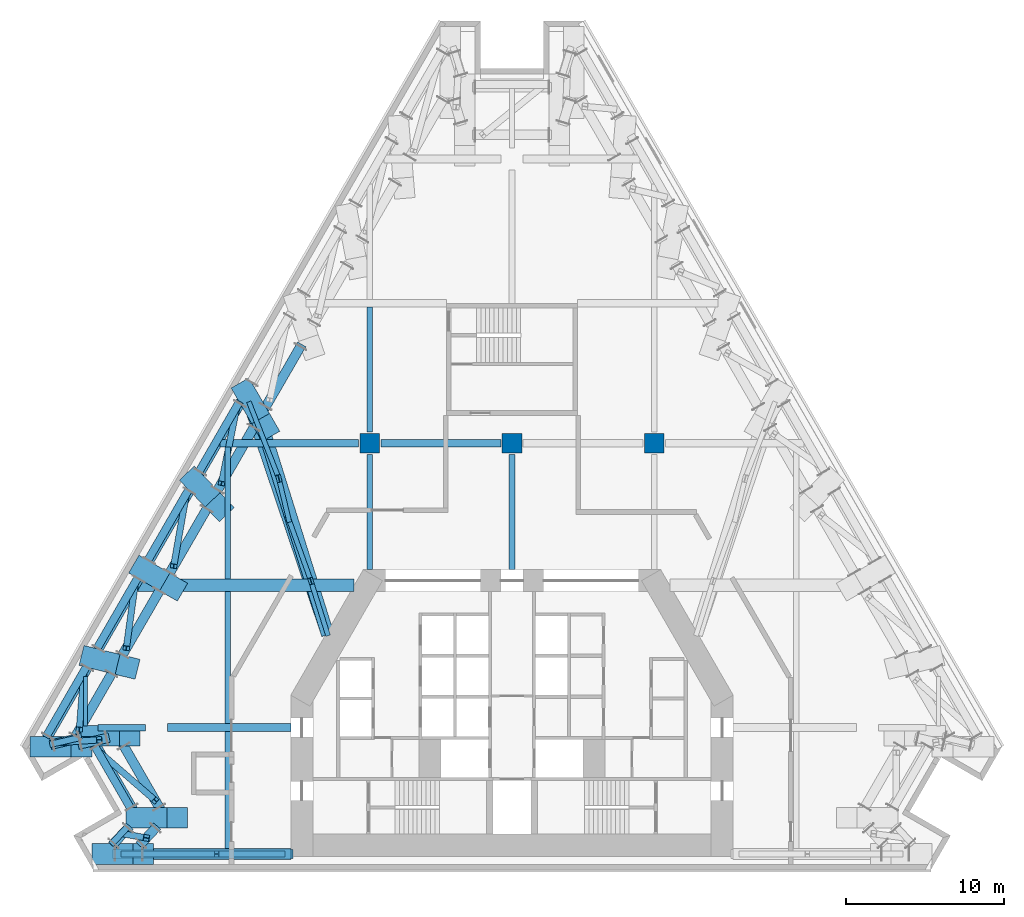
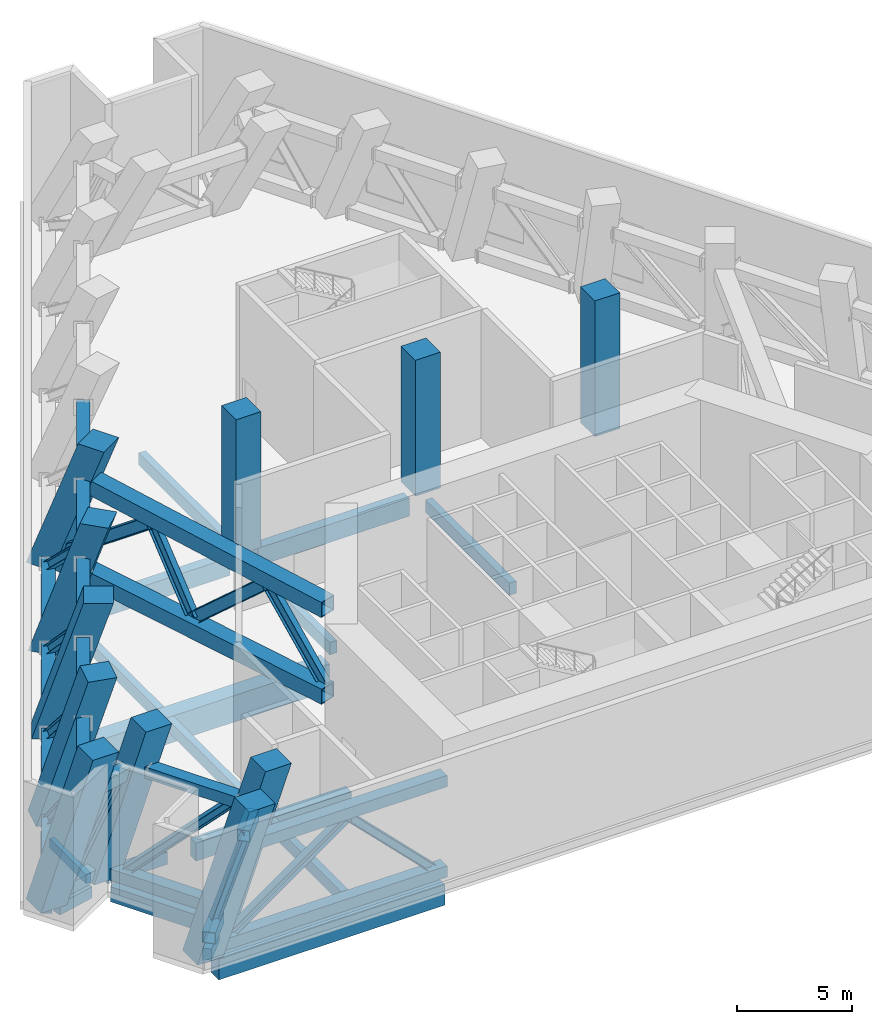
# One storey, part 1 of 12: 40 members, 20 beams, 3 columns.
"""IFC4 building model written with IfcOpenShell, lengths in metres."""

from ifc_helpers import new_model, si_unit, direction, frame, origin, origin_2d, place, context, subcontext, project, spatial, rectangle, hollow_rectangle, i_section, extrude, material, material_profile, profile_set, type_object, element, save


model = new_model("IFC4")

# Units and contexts
model_context = context("Model", 3, precision=1e-05, world=origin(), true_north=direction((0.0, 1.0)))
body_context = subcontext(model_context, "Body", "Model", "MODEL_VIEW")
ifc_project = project(units=[si_unit("LENGTHUNIT", "METRE"), si_unit("AREAUNIT", "SQUARE_METRE"), si_unit("VOLUMEUNIT", "CUBIC_METRE"), si_unit("PLANEANGLEUNIT", "RADIAN"), si_unit("MASSUNIT", "GRAM", prefix="KILO")], contexts=[model_context])

# Site, building, storey
site_placement = place(None, origin())
site = spatial("IfcSite", under=ifc_project, at=site_placement, CompositionType="ELEMENT")
building_placement = place(site_placement, origin())
building = spatial("IfcBuilding", under=site, at=building_placement, Name="Fogline Exchange Tower", CompositionType="ELEMENT")
storey_placement = place(building_placement, frame((0.0, 0.0, 88.89990234375)))
storey = spatial("IfcBuildingStorey", under=building, at=storey_placement, Name="L19", CompositionType="ELEMENT", Elevation=88.89990234375)

# Columns
ifc_material_1 = material(Name="Concrete C70", Category="concrete")
ifc_material_profile_1 = material_profile(ifc_material_1, rectangle(XDim=1.25, YDim=1.25, at=origin_2d()), Name="RC 1250x1250")
ifc_profile_set_1 = profile_set([ifc_material_profile_1], Name="Concrete C70")
column_type = type_object("IfcColumnType", Name="C03", PredefinedType="COLUMN", material=ifc_profile_set_1)
for number, where, z_axis, x_axis, name in (
    (1, (-9.0, 27.0, 0.0), (0.0, 0.0, 1.0), (1.0, 0.0, 0.0), "IC--9-27"),
    (2, (0.0, 27.0, 0.0), (0.0, 0.0, 1.0), (1.0, 0.0, 0.0), "IC-0-27"),
    (3, (9.0, 27.0, 0.0), (0.0, 0.0, 1.0), (1.0, 0.0, 0.0), "IC-9-27"),
):
    element("IfcColumn", number, at=place(storey_placement, frame(where, z_axis=z_axis, x_axis=x_axis)), inside=storey, type_object=column_type, Name=name, PredefinedType="COLUMN", context=body_context, shape_type="SweptSolid", body=[
        extrude(rectangle(XDim=1.25, YDim=1.25, at=origin_2d()), origin(), (0.0, 0.0, 1.0), 7.2001953125),
    ])

# Beams
ifc_material_2 = material(Name="Concrete C40", Category="concrete")
ifc_material_profile_2 = material_profile(ifc_material_2, rectangle(XDim=0.25, YDim=0.5, at=origin_2d()), Name="RC 250x500")
ifc_profile_set_2 = profile_set([ifc_material_profile_2], Name="Concrete C40")
beam_type_1 = type_object("IfcBeamType", Name="B08", PredefinedType="BEAM", material=ifc_profile_set_2)
beam_1_placement = place(storey_placement, frame((-27.0, 9.09521484375, -0.5498046875), z_axis=(0.0, 1.0, 0.0), x_axis=(-1.0, 0.0, 0.0)))
element("IfcBeam", 4, at=beam_1_placement, inside=storey, type_object=beam_type_1, Name="SB001", PredefinedType="BEAM", context=body_context, shape_type="SweptSolid", body=[
    extrude(rectangle(XDim=0.25, YDim=0.5, at=origin_2d()), origin(), (0.0, 0.0, 1.0), 3.145263671875),
])
ifc_material_profile_3 = material_profile(ifc_material_2, rectangle(XDim=0.5, YDim=0.800048828125, at=origin_2d()), Name="RC 500x800")
ifc_profile_set_3 = profile_set([ifc_material_profile_3], Name="Concrete C40")
beam_type_2 = type_object("IfcBeamType", Name="B10", PredefinedType="BEAM", material=ifc_profile_set_3)
beam_2_placement = place(storey_placement, frame((-26.449951171875, 7.895263671875, -0.699951171875), z_axis=(0.500014024385, -0.866017306651, 0.0), x_axis=(0.866017306651, 0.500014024385, 0.0)))
element("IfcBeam", 5, at=beam_2_placement, inside=storey, type_object=beam_type_2, Name="RB002", PredefinedType="BEAM", context=body_context, shape_type="SweptSolid", body=[
    extrude(rectangle(XDim=0.5, YDim=0.800048828125, at=origin_2d()), origin(), (0.0, 0.0, 1.0), 4.614501953125),
])
beam_3_placement = place(storey_placement, frame((-17.235595703125, 29.65283203125, -0.699951171875), z_axis=(-0.500012659481, -0.866018094706, 0.0), x_axis=(0.866018094706, -0.500012659481, 0.0)))
element("IfcBeam", 6, at=beam_3_placement, inside=storey, type_object=beam_type_2, Name="RB024", PredefinedType="BEAM", context=body_context, shape_type="SweptSolid", body=[
    extrude(rectangle(XDim=0.5, YDim=0.800048828125, at=origin_2d()), origin(), (0.0, 0.0, 1.0), 5.097412109375),
])
for number, where, z_axis, x_axis, name in (
    (7, (-20.477294921875, 24.038330078125, -0.699951171875), (-0.499991921166, -0.866030068051, 0.0), (0.866030068051, -0.499991921166, 0.0), "RB025"),
    (8, (-23.718994140625, 18.423583984375, -0.699951171875), (-0.499956000529, -0.8660508054, 0.0), (0.8660508054, -0.499956000529, 0.0), "RB026"),
):
    element("IfcBeam", number, at=place(storey_placement, frame(where, z_axis=z_axis, x_axis=x_axis)), inside=storey, type_object=beam_type_2, Name=name, PredefinedType="BEAM", context=body_context, shape_type="SweptSolid", body=[
        extrude(rectangle(XDim=0.5, YDim=0.800048828125, at=origin_2d()), origin(), (0.0, 0.0, 1.0), 5.09765625),
    ])
beam_4_placement = place(storey_placement, frame((-26.96044921875, 12.808837890625, -0.699951171875), z_axis=(-0.500012659481, -0.866018094706, 0.0), x_axis=(0.866018094706, -0.500012659481, 0.0)))
element("IfcBeam", 9, at=beam_4_placement, inside=storey, type_object=beam_type_2, Name="RB027", PredefinedType="BEAM", context=body_context, shape_type="SweptSolid", body=[
    extrude(rectangle(XDim=0.5, YDim=0.800048828125, at=origin_2d()), origin(), (0.0, 0.0, 1.0), 5.097412109375),
])
ifc_material_profile_4 = material_profile(ifc_material_2, rectangle(XDim=0.39990234375, YDim=0.60009765625, at=origin_2d()), Name="RC 400x600")
ifc_profile_set_4 = profile_set([ifc_material_profile_4], Name="Concrete C40")
beam_type_3 = type_object("IfcBeamType", Name="B11", PredefinedType="BEAM", material=ifc_profile_set_4)
beam_5_placement = place(storey_placement, frame((-29.255615234375, 7.931640625, -0.599853515625), z_axis=(0.974741606569, 0.223335622829, 0.0), x_axis=(-0.223335622829, 0.974741606569, 0.0)))
element("IfcBeam", 10, at=beam_5_placement, inside=storey, type_object=beam_type_3, Name="RB001", PredefinedType="BEAM", context=body_context, shape_type="SweptSolid", body=[
    extrude(rectangle(XDim=0.39990234375, YDim=0.60009765625, at=origin_2d()), origin(), (0.0, 0.0, 1.0), 1.907470703125),
])
beam_6_placement = place(storey_placement, frame((-24.35400390625, 2.698974609375, -0.599853515625), z_axis=(-0.680844217962, -0.732428256464, 0.0), x_axis=(0.732428256464, -0.680844217962, 0.0)))
element("IfcBeam", 11, at=beam_6_placement, inside=storey, type_object=beam_type_3, Name="RB003", PredefinedType="BEAM", context=body_context, shape_type="SweptSolid", body=[
    extrude(rectangle(XDim=0.39990234375, YDim=0.60009765625, at=origin_2d()), origin(), (0.0, 0.0, 1.0), 1.500244140625),
])
ifc_material_profile_5 = material_profile(ifc_material_2, rectangle(XDim=0.699951171875, YDim=1.10009765625, at=origin_2d()), Name="RC 700x1100")
ifc_profile_set_5 = profile_set([ifc_material_profile_5], Name="Concrete C40")
beam_type_4 = type_object("IfcBeamType", Name="B12", PredefinedType="BEAM", material=ifc_profile_set_5)
beam_7_placement = place(storey_placement, frame((-25.3330078125, 1.0, -0.849853515625), z_axis=(1.0, 0.0, 0.0), x_axis=(0.0, 1.0, 0.0)))
element("IfcBeam", 12, at=beam_7_placement, inside=storey, type_object=beam_type_4, Name="RB004", PredefinedType="BEAM", context=body_context, shape_type="SweptSolid", body=[
    extrude(rectangle(XDim=0.699951171875, YDim=1.10009765625, at=origin_2d()), origin(), (0.0, 0.0, 1.0), 11.3330078125),
])
ifc_material_profile_6 = material_profile(ifc_material_2, rectangle(XDim=0.39990234375, YDim=0.64990234375, at=origin_2d()), Name="RC 400x650")
ifc_profile_set_6 = profile_set([ifc_material_profile_6], Name="Concrete C40")
beam_type_5 = type_object("IfcBeamType", Name="B13", PredefinedType="BEAM", material=ifc_profile_set_6)
beam_8_placement = place(storey_placement, frame((-26.1962890625, 9.0, -0.625), z_axis=(1.0, 0.0, 0.0), x_axis=(0.0, 1.0, 0.0)))
element("IfcBeam", 13, at=beam_8_placement, inside=storey, type_object=beam_type_5, Name="GB001", PredefinedType="BEAM", context=body_context, shape_type="SweptSolid", body=[
    extrude(rectangle(XDim=0.39990234375, YDim=0.64990234375, at=origin_2d()), origin(), (0.0, 0.0, 1.0), 2.996337890625),
])
ifc_material_profile_7 = material_profile(ifc_material_2, rectangle(XDim=0.5, YDim=0.949951171875, at=origin_2d()), Name="RC 500x950")
ifc_profile_set_7 = profile_set([ifc_material_profile_7], Name="Concrete C40")
beam_type_6 = type_object("IfcBeamType", Name="B14", PredefinedType="BEAM", material=ifc_profile_set_7)
beam_9_placement = place(storey_placement, frame((-21.800048828125, 9.0, -0.77490234375), z_axis=(1.0, 0.0, 0.0), x_axis=(0.0, 1.0, 0.0)))
element("IfcBeam", 14, at=beam_9_placement, inside=storey, type_object=beam_type_6, Name="GB002", PredefinedType="BEAM", context=body_context, shape_type="SweptSolid", body=[
    extrude(rectangle(XDim=0.5, YDim=0.949951171875, at=origin_2d()), origin(), (0.0, 0.0, 1.0), 7.800048828125),
])
beam_10_placement = place(storey_placement, frame((-18.478515625, 27.0, -0.77490234375), z_axis=(1.0, 0.0, 0.0), x_axis=(0.0, 1.0, 0.0)))
element("IfcBeam", 15, at=beam_10_placement, inside=storey, type_object=beam_type_6, Name="GB007", PredefinedType="BEAM", context=body_context, shape_type="SweptSolid", body=[
    extrude(rectangle(XDim=0.5, YDim=0.949951171875, at=origin_2d()), origin(), (0.0, 0.0, 1.0), 8.778564453125),
])
beam_11_placement = place(storey_placement, frame((-8.300048828125, 27.0, -0.77490234375), z_axis=(1.0, 0.0, 0.0), x_axis=(0.0, 1.0, 0.0)))
element("IfcBeam", 16, at=beam_11_placement, inside=storey, type_object=beam_type_6, Name="GB008", PredefinedType="BEAM", context=body_context, shape_type="SweptSolid", body=[
    extrude(rectangle(XDim=0.5, YDim=0.949951171875, at=origin_2d()), origin(), (0.0, 0.0, 1.0), 7.60009765625),
])
ifc_material_profile_8 = material_profile(ifc_material_2, rectangle(XDim=0.800048828125, YDim=1.39990234375, at=origin_2d()), Name="RC 800x1400")
ifc_profile_set_8 = profile_set([ifc_material_profile_8], Name="Concrete C40")
beam_type_7 = type_object("IfcBeamType", Name="B15", PredefinedType="BEAM", material=ifc_profile_set_8)
beam_12_placement = place(storey_placement, frame((-23.6748046875, 18.0, -1.0), z_axis=(1.0, 0.0, 0.0), x_axis=(0.0, 1.0, 0.0)))
element("IfcBeam", 17, at=beam_12_placement, inside=storey, type_object=beam_type_7, Name="GB005", PredefinedType="BEAM", context=body_context, shape_type="SweptSolid", body=[
    extrude(rectangle(XDim=0.800048828125, YDim=1.39990234375, at=origin_2d()), origin(), (0.0, 0.0, 1.0), 13.685791015625),
])
ifc_material_profile_9 = material_profile(ifc_material_2, rectangle(XDim=0.35009765625, YDim=0.64990234375, at=origin_2d()), Name="RC 350x650")
ifc_profile_set_9 = profile_set([ifc_material_profile_9], Name="Concrete C40")
beam_type_8 = type_object("IfcBeamType", Name="B16", PredefinedType="BEAM", material=ifc_profile_set_9)
beam_13_placement = place(storey_placement, frame((-18.0, 1.35009765625, -0.625), z_axis=(0.0, 1.0, 0.0), x_axis=(-1.0, 0.0, 0.0)))
element("IfcBeam", 18, at=beam_13_placement, inside=storey, type_object=beam_type_8, Name="SB002", PredefinedType="BEAM", context=body_context, shape_type="SweptSolid", body=[
    extrude(rectangle(XDim=0.35009765625, YDim=0.64990234375, at=origin_2d()), origin(), (0.0, 0.0, 1.0), 7.39990234375),
])
for number, where, z_axis, x_axis, name in (
    (19, (-18.0, 9.25, -0.625), (0.0, 1.0, 0.0), (-1.0, 0.0, 0.0), "SB003"),
    (20, (-18.0, 18.39990234375, -0.625), (0.0, 1.0, 0.0), (-1.0, 0.0, 0.0), "SB004"),
):
    element("IfcBeam", number, at=place(storey_placement, frame(where, z_axis=z_axis, x_axis=x_axis)), inside=storey, type_object=beam_type_8, Name=name, PredefinedType="BEAM", context=body_context, shape_type="SweptSolid", body=[
        extrude(rectangle(XDim=0.35009765625, YDim=0.64990234375, at=origin_2d()), origin(), (0.0, 0.0, 1.0), 8.35009765625),
    ])
beam_14_placement = place(storey_placement, frame((-9.0, 19.0, -0.625), z_axis=(0.0, 1.0, 0.0), x_axis=(-1.0, 0.0, 0.0)))
element("IfcBeam", 21, at=beam_14_placement, inside=storey, type_object=beam_type_8, Name="SB005", PredefinedType="BEAM", context=body_context, shape_type="SweptSolid", body=[
    extrude(rectangle(XDim=0.35009765625, YDim=0.64990234375, at=origin_2d()), origin(), (0.0, 0.0, 1.0), 7.300048828125),
])
beam_15_placement = place(storey_placement, frame((-9.0, 27.699951171875, -0.625), z_axis=(0.0, 1.0, 0.0), x_axis=(-1.0, 0.0, 0.0)))
element("IfcBeam", 22, at=beam_15_placement, inside=storey, type_object=beam_type_8, Name="SB006", PredefinedType="BEAM", context=body_context, shape_type="SweptSolid", body=[
    extrude(rectangle(XDim=0.35009765625, YDim=0.64990234375, at=origin_2d()), origin(), (0.0, 0.0, 1.0), 7.906982421875),
])
beam_16_placement = place(storey_placement, frame((0.0, 19.0, -0.625), z_axis=(0.0, 1.0, 0.0), x_axis=(-1.0, 0.0, 0.0)))
element("IfcBeam", 23, at=beam_16_placement, inside=storey, type_object=beam_type_8, Name="SB008", PredefinedType="BEAM", context=body_context, shape_type="SweptSolid", body=[
    extrude(rectangle(XDim=0.35009765625, YDim=0.64990234375, at=origin_2d()), origin(), (0.0, 0.0, 1.0), 7.300048828125),
])

# Members
ifc_material_3 = material(Name="Steel Q355B", Category="steel")
ifc_material_profile_10 = material_profile(ifc_material_3, hollow_rectangle(XDim=0.60009765625, YDim=0.60009765625, WallThickness=0.030029296875, at=origin_2d()), Name="BOX600X600X30")
ifc_profile_set_10 = profile_set([ifc_material_profile_10], Name="Steel Q355B")
member_type_1 = type_object("IfcMemberType", Name="M01", PredefinedType="CHORD", material=ifc_profile_set_10)
for number, where, z_axis, x_axis, name in (
    (24, (-29.201904296875, 7.919189453125, 0.300048828125), (0.974738348728, 0.223349841097, 0.0), (-0.223349841097, 0.974738348728, 0.0), "Belt truss chord BT1-1-BC"),
    (25, (-27.464111328125, 7.919189453125, 5.10009765625), (0.974738348728, 0.223349841097, 0.0), (-0.223349841097, 0.974738348728, 0.0), "Belt truss chord BT1-1-TC"),
):
    element("IfcMember", number, at=place(storey_placement, frame(where, z_axis=z_axis, x_axis=x_axis)), inside=storey, type_object=member_type_1, Name=name, PredefinedType="CHORD", context=body_context, shape_type="SweptSolid", body=[
        extrude(hollow_rectangle(XDim=0.60009765625, YDim=0.60009765625, WallThickness=0.030029296875, at=origin_2d()), origin(), (0.0, 0.0, 1.0), 2.02001953125),
    ])
for number, where, z_axis, x_axis, name in (
    (26, (-26.387451171875, 7.97509765625, 0.300048828125), (0.499991085587, -0.866030550462, 0.0), (0.866030550462, 0.499991085587, 0.0), "Belt truss chord BT2-1-BC"),
    (27, (-24.649658203125, 7.97509765625, 5.10009765625), (0.499991085587, -0.866030550462, 0.0), (0.866030550462, 0.499991085587, 0.0), "Belt truss chord BT2-1-TC"),
):
    element("IfcMember", number, at=place(storey_placement, frame(where, z_axis=z_axis, x_axis=x_axis)), inside=storey, type_object=member_type_1, Name=name, PredefinedType="CHORD", context=body_context, shape_type="SweptSolid", body=[
        extrude(hollow_rectangle(XDim=0.60009765625, YDim=0.60009765625, WallThickness=0.030029296875, at=origin_2d()), origin(), (0.0, 0.0, 1.0), 4.798828125),
    ])
for number, where, z_axis, x_axis, name in (
    (28, (-24.189697265625, 2.7587890625, 0.300048828125), (-0.680811200707, -0.732458946967, 0.0), (0.732458946967, -0.680811200707, 0.0), "Belt truss chord BT3-1-BC"),
    (29, (-22.451904296875, 2.7587890625, 5.10009765625), (-0.680811200707, -0.732458946967, 0.0), (0.732458946967, -0.680811200707, 0.0), "Belt truss chord BT3-1-TC"),
):
    element("IfcMember", number, at=place(storey_placement, frame(where, z_axis=z_axis, x_axis=x_axis)), inside=storey, type_object=member_type_1, Name=name, PredefinedType="CHORD", context=body_context, shape_type="SweptSolid", body=[
        extrude(hollow_rectangle(XDim=0.60009765625, YDim=0.60009765625, WallThickness=0.030029296875, at=origin_2d()), origin(), (0.0, 0.0, 1.0), 1.663818359375),
    ])
member_1_placement = place(storey_placement, frame((-25.283203125, 1.0, 0.300048828125), z_axis=(1.0, 0.0, 0.0), x_axis=(0.0, 1.0, 0.0)))
element("IfcMember", 30, at=member_1_placement, inside=storey, type_object=member_type_1, Name="Belt truss chord BT4-1-BC", PredefinedType="CHORD", context=body_context, shape_type="SweptSolid", body=[
    extrude(hollow_rectangle(XDim=0.60009765625, YDim=0.60009765625, WallThickness=0.030029296875, at=origin_2d()), origin(), (0.0, 0.0, 1.0), 11.43310546875),
])
member_2_placement = place(storey_placement, frame((-23.54541015625, 1.0, 5.10009765625), z_axis=(1.0, 0.0, 0.0), x_axis=(0.0, 1.0, 0.0)))
element("IfcMember", 31, at=member_2_placement, inside=storey, type_object=member_type_1, Name="Belt truss chord BT4-1-TC", PredefinedType="CHORD", context=body_context, shape_type="SweptSolid", body=[
    extrude(hollow_rectangle(XDim=0.60009765625, YDim=0.60009765625, WallThickness=0.030029296875, at=origin_2d()), origin(), (0.0, 0.0, 1.0), 9.6953125),
])
member_3_placement = place(storey_placement, frame((-13.31005859375, 33.25390625, 5.10009765625), z_axis=(-0.500034966214, -0.86600521509, 0.0), x_axis=(0.86600521509, -0.500034966214, 0.0)))
element("IfcMember", 32, at=member_3_placement, inside=storey, type_object=member_type_1, Name="Belt truss chord BT22-1-TC", PredefinedType="CHORD", context=body_context, shape_type="SweptSolid", body=[
    extrude(hollow_rectangle(XDim=0.60009765625, YDim=0.60009765625, WallThickness=0.030029296875, at=origin_2d()), origin(), (0.0, 0.0, 1.0), 4.711181640625),
])
member_4_placement = place(storey_placement, frame((-17.13525390625, 29.638916015625, 0.300048828125), z_axis=(-0.499992114976, -0.866029956157, 0.0), x_axis=(0.866029956157, -0.499992114976, 0.0)))
element("IfcMember", 33, at=member_4_placement, inside=storey, type_object=member_type_1, Name="Belt truss chord BT23-1-BC", PredefinedType="CHORD", context=body_context, shape_type="SweptSolid", body=[
    extrude(hollow_rectangle(XDim=0.60009765625, YDim=0.60009765625, WallThickness=0.030029296875, at=origin_2d()), origin(), (0.0, 0.0, 1.0), 5.3291015625),
])
member_5_placement = place(storey_placement, frame((-16.266357421875, 28.1337890625, 5.10009765625), z_axis=(-0.499964257829, -0.866046038553, 0.0), x_axis=(0.866046038553, -0.499964257829, 0.0)))
element("IfcMember", 34, at=member_5_placement, inside=storey, type_object=member_type_1, Name="Belt truss chord BT23-1-TC", PredefinedType="CHORD", context=body_context, shape_type="SweptSolid", body=[
    extrude(hollow_rectangle(XDim=0.60009765625, YDim=0.60009765625, WallThickness=0.030029296875, at=origin_2d()), origin(), (0.0, 0.0, 1.0), 4.894287109375),
])
member_6_placement = place(storey_placement, frame((-20.326171875, 24.11181640625, 0.300048828125), z_axis=(-0.500007885066, -0.866020851292, 0.0), x_axis=(0.866020851292, -0.500007885066, 0.0)))
element("IfcMember", 35, at=member_6_placement, inside=storey, type_object=member_type_1, Name="Belt truss chord BT24-1-BC", PredefinedType="CHORD", context=body_context, shape_type="SweptSolid", body=[
    extrude(hollow_rectangle(XDim=0.60009765625, YDim=0.60009765625, WallThickness=0.030029296875, at=origin_2d()), origin(), (0.0, 0.0, 1.0), 5.4296875),
])
member_7_placement = place(storey_placement, frame((-19.239990234375, 22.98291015625, 5.10009765625), z_axis=(-0.499997455298, -0.866026872964, 0.0), x_axis=(0.866026872964, -0.499997455298, 0.0)))
element("IfcMember", 36, at=member_7_placement, inside=storey, type_object=member_type_1, Name="Belt truss chord BT24-1-TC", PredefinedType="CHORD", context=body_context, shape_type="SweptSolid", body=[
    extrude(hollow_rectangle(XDim=0.60009765625, YDim=0.60009765625, WallThickness=0.030029296875, at=origin_2d()), origin(), (0.0, 0.0, 1.0), 4.9951171875),
])
member_8_placement = place(storey_placement, frame((-23.541015625, 18.54345703125, 0.300048828125), z_axis=(-0.500007885066, -0.866020851292, 0.0), x_axis=(0.866020851292, -0.500007885066, 0.0)))
element("IfcMember", 37, at=member_8_placement, inside=storey, type_object=member_type_1, Name="Belt truss chord BT25-1-BC", PredefinedType="CHORD", context=body_context, shape_type="SweptSolid", body=[
    extrude(hollow_rectangle(XDim=0.60009765625, YDim=0.60009765625, WallThickness=0.030029296875, at=origin_2d()), origin(), (0.0, 0.0, 1.0), 5.4296875),
])
member_9_placement = place(storey_placement, frame((-22.237548828125, 17.791015625, 5.10009765625), z_axis=(-0.499997455298, -0.866026872964, 0.0), x_axis=(0.866026872964, -0.499997455298, 0.0)))
element("IfcMember", 38, at=member_9_placement, inside=storey, type_object=member_type_1, Name="Belt truss chord BT25-1-TC", PredefinedType="CHORD", context=body_context, shape_type="SweptSolid", body=[
    extrude(hollow_rectangle(XDim=0.60009765625, YDim=0.60009765625, WallThickness=0.030029296875, at=origin_2d()), origin(), (0.0, 0.0, 1.0), 4.9951171875),
])
member_10_placement = place(storey_placement, frame((-26.7822265625, 12.929443359375, 0.300048828125), z_axis=(-0.499992114976, -0.866029956157, 0.0), x_axis=(0.866029956157, -0.499992114976, 0.0)))
element("IfcMember", 39, at=member_10_placement, inside=storey, type_object=member_type_1, Name="Belt truss chord BT26-1-BC", PredefinedType="CHORD", context=body_context, shape_type="SweptSolid", body=[
    extrude(hollow_rectangle(XDim=0.60009765625, YDim=0.60009765625, WallThickness=0.030029296875, at=origin_2d()), origin(), (0.0, 0.0, 1.0), 5.3291015625),
])
member_11_placement = place(storey_placement, frame((-25.26171875, 12.552978515625, 5.10009765625), z_axis=(-0.500001669485, -0.866024439905, 0.0), x_axis=(0.866024439905, -0.500001669485, 0.0)))
element("IfcMember", 40, at=member_11_placement, inside=storey, type_object=member_type_1, Name="Belt truss chord BT26-1-TC", PredefinedType="CHORD", context=body_context, shape_type="SweptSolid", body=[
    extrude(hollow_rectangle(XDim=0.60009765625, YDim=0.60009765625, WallThickness=0.030029296875, at=origin_2d()), origin(), (0.0, 0.0, 1.0), 4.89453125),
])
ifc_material_profile_11 = material_profile(ifc_material_3, i_section(OverallWidth=0.39990234375, OverallDepth=0.39990234375, WebThickness=0.012939453125, FlangeThickness=0.02099609375, FilletRadius=0.02197265625, at=origin_2d()), Name="HW400X400X13X21")
ifc_profile_set_11 = profile_set([ifc_material_profile_11], Name="Steel Q355B")
member_type_2 = type_object("IfcMemberType", Name="M02", PredefinedType="BRACE", material=ifc_profile_set_11)
member_12_placement = place(storey_placement, frame((-28.568603515625, 8.064208984375, 0.60009765625), z_axis=(0.502054175338, 0.033105233295, 0.864202319225), x_axis=(-0.065796676058, 0.997833050876, 0.0)))
element("IfcMember", 41, at=member_12_placement, inside=storey, type_object=member_type_2, Name="Belt truss diagonal BT1-1-D1", PredefinedType="BRACE", context=body_context, shape_type="SweptSolid", body=[
    extrude(i_section(OverallWidth=0.39990234375, OverallDepth=0.39990234375, WebThickness=0.012939453125, FlangeThickness=0.02099609375, FilletRadius=0.02197265625, at=origin_2d()), origin(), (0.0, 0.0, 1.0), 4.85986328125),
])
member_13_placement = place(storey_placement, frame((-26.0625, 7.412109375, 0.60009765625), z_axis=(0.558544847896, -0.485305244136, 0.672686013607), x_axis=(0.655881663934, 0.754863724731, 0.0)))
element("IfcMember", 42, at=member_13_placement, inside=storey, type_object=member_type_2, Name="Belt truss diagonal BT2-1-D1", PredefinedType="BRACE", context=body_context, shape_type="SweptSolid", body=[
    extrude(i_section(OverallWidth=0.39990234375, OverallDepth=0.39990234375, WebThickness=0.012939453125, FlangeThickness=0.02099609375, FilletRadius=0.02197265625, at=origin_2d()), origin(), (0.0, 0.0, 1.0), 6.24365234375),
])
member_14_placement = place(storey_placement, frame((-24.632080078125, 2.28271484375, 0.60009765625), z_axis=(0.333750358832, -0.059717416327, 0.940768052267), x_axis=(0.176131156017, 0.984366708031, 0.0)))
element("IfcMember", 43, at=member_14_placement, inside=storey, type_object=member_type_2, Name="Belt truss diagonal BT3-1-D1", PredefinedType="BRACE", context=body_context, shape_type="SweptSolid", body=[
    extrude(i_section(OverallWidth=0.39990234375, OverallDepth=0.39990234375, WebThickness=0.012939453125, FlangeThickness=0.02099609375, FilletRadius=0.02197265625, at=origin_2d()), origin(), (0.0, 0.0, 1.0), 4.46435546875),
])
member_15_placement = place(storey_placement, frame((-24.63330078125, 1.0, 0.60009765625), z_axis=(0.816309451324, 0.0, 0.577614819477), x_axis=(0.0, 1.0, 0.0)))
element("IfcMember", 44, at=member_15_placement, inside=storey, type_object=member_type_2, Name="Belt truss diagonal BT4-1-D1", PredefinedType="BRACE", context=body_context, shape_type="SweptSolid", body=[
    extrude(i_section(OverallWidth=0.39990234375, OverallDepth=0.39990234375, WebThickness=0.012939453125, FlangeThickness=0.02099609375, FilletRadius=0.02197265625, at=origin_2d()), origin(), (0.0, 0.0, 1.0), 7.271240234375),
])
member_16_placement = place(storey_placement, frame((-18.69775390625, 1.0, 4.800048828125), z_axis=(0.706921741986, 0.0, -0.707291771978), x_axis=(0.0, 1.0, 0.0)))
element("IfcMember", 45, at=member_16_placement, inside=storey, type_object=member_type_2, Name="Belt truss diagonal BT4-1-D2", PredefinedType="BRACE", context=body_context, shape_type="SweptSolid", body=[
    extrude(i_section(OverallWidth=0.39990234375, OverallDepth=0.39990234375, WebThickness=0.012939453125, FlangeThickness=0.02099609375, FilletRadius=0.02197265625, at=origin_2d()), origin(), (0.0, 0.0, 1.0), 5.93798828125),
])
member_17_placement = place(storey_placement, frame((-17.460205078125, 29.075927734375, 0.60009765625), z_axis=(-0.147084461233, -0.731747128939, 0.665516566701), x_axis=(0.980390834541, -0.197062963411, 0.0)))
element("IfcMember", 46, at=member_17_placement, inside=storey, type_object=member_type_2, Name="Belt truss diagonal BT23-1-D1", PredefinedType="BRACE", context=body_context, shape_type="SweptSolid", body=[
    extrude(i_section(OverallWidth=0.39990234375, OverallDepth=0.39990234375, WebThickness=0.012939453125, FlangeThickness=0.02099609375, FilletRadius=0.02197265625, at=origin_2d()), origin(), (0.0, 0.0, 1.0), 6.310791015625),
])
member_18_placement = place(storey_placement, frame((-20.651123046875, 23.548828125, 0.60009765625), z_axis=(-0.125256020885, -0.712059796829, 0.69085582792), x_axis=(0.984878472696, -0.173246627733, 0.0)))
element("IfcMember", 47, at=member_18_placement, inside=storey, type_object=member_type_2, Name="Belt truss diagonal BT24-1-D1", PredefinedType="BRACE", context=body_context, shape_type="SweptSolid", body=[
    extrude(i_section(OverallWidth=0.39990234375, OverallDepth=0.39990234375, WebThickness=0.012939453125, FlangeThickness=0.02099609375, FilletRadius=0.02197265625, at=origin_2d()), origin(), (0.0, 0.0, 1.0), 6.079345703125),
])
member_19_placement = place(storey_placement, frame((-23.865966796875, 17.980712890625, 0.60009765625), z_axis=(-0.093938834641, -0.682310333258, 0.725002141015), x_axis=(0.990655084733, -0.136390993445, 0.0)))
element("IfcMember", 48, at=member_19_placement, inside=storey, type_object=member_type_2, Name="Belt truss diagonal BT25-1-D1", PredefinedType="BRACE", context=body_context, shape_type="SweptSolid", body=[
    extrude(i_section(OverallWidth=0.39990234375, OverallDepth=0.39990234375, WebThickness=0.012939453125, FlangeThickness=0.02099609375, FilletRadius=0.02197265625, at=origin_2d()), origin(), (0.0, 0.0, 1.0), 5.79296875),
])
member_20_placement = place(storey_placement, frame((-27.107421875, 12.366455078125, 0.60009765625), z_axis=(-0.050594064147, -0.638208618521, 0.768199192865), x_axis=(0.996872461428, -0.079027182955, 0.0)))
element("IfcMember", 49, at=member_20_placement, inside=storey, type_object=member_type_2, Name="Belt truss diagonal BT26-1-D1", PredefinedType="BRACE", context=body_context, shape_type="SweptSolid", body=[
    extrude(i_section(OverallWidth=0.39990234375, OverallDepth=0.39990234375, WebThickness=0.012939453125, FlangeThickness=0.02099609375, FilletRadius=0.02197265625, at=origin_2d()), origin(), (0.0, 0.0, 1.0), 5.46728515625),
])
ifc_material_profile_12 = material_profile(ifc_material_3, hollow_rectangle(XDim=0.800048828125, YDim=0.800048828125, WallThickness=0.0400390625, at=origin_2d()), Name="BOX800X800X40")
ifc_profile_set_12 = profile_set([ifc_material_profile_12], Name="Steel Q355B")
member_type_3 = type_object("IfcMemberType", Name="M03", PredefinedType="CHORD", material=ifc_profile_set_12)
member_21_placement = place(storey_placement, frame((-11.65771484375, 14.88427734375, 0.400146484375), z_axis=(-0.320589450714, 0.947218245227, 0.0), x_axis=(-0.947218245227, -0.320589450714, 0.0)))
element("IfcMember", 50, at=member_21_placement, inside=storey, type_object=member_type_3, Name="Outrigger chord OR-W-1-BC", PredefinedType="CHORD", context=body_context, shape_type="SweptSolid", body=[
    extrude(hollow_rectangle(XDim=0.800048828125, YDim=0.800048828125, WallThickness=0.0400390625, at=origin_2d()), origin(), (0.0, 0.0, 1.0), 15.53759765625),
])
member_22_placement = place(storey_placement, frame((-11.660888671875, 14.883056640625, 5.0), z_axis=(-0.298903759595, 0.954283261144, 0.0), x_axis=(-0.954283261144, -0.298903759595, 0.0)))
element("IfcMember", 51, at=member_22_placement, inside=storey, type_object=member_type_3, Name="Outrigger chord OR-W-1-TC", PredefinedType="CHORD", context=body_context, shape_type="SweptSolid", body=[
    extrude(hollow_rectangle(XDim=0.800048828125, YDim=0.800048828125, WallThickness=0.0400390625, at=origin_2d()), origin(), (0.0, 0.0, 1.0), 13.905029296875),
])
ifc_material_profile_13 = material_profile(ifc_material_3, i_section(OverallWidth=0.300048828125, OverallDepth=0.587890625, WebThickness=0.011962890625, FlangeThickness=0.02001953125, FilletRadius=0.028076171875, at=origin_2d()), Name="HM588X300X12X20")
ifc_profile_set_13 = profile_set([ifc_material_profile_13], Name="Steel Q355B")
member_type_4 = type_object("IfcMemberType", Name="M04", PredefinedType="BRACE", material=ifc_profile_set_13)
member_23_placement = place(storey_placement, frame((-11.705810546875, 15.0263671875, 0.800048828125), z_axis=(-0.199342052364, 0.636420087447, 0.745139059809), x_axis=(-0.954283069769, -0.298904370582, 0.0)))
element("IfcMember", 52, at=member_23_placement, inside=storey, type_object=member_type_4, Name="Outrigger brace OR-W-1-D1", PredefinedType="BRACE", context=body_context, shape_type="SweptSolid", body=[
    extrude(i_section(OverallWidth=0.300048828125, OverallDepth=0.587890625, WebThickness=0.011962890625, FlangeThickness=0.02001953125, FilletRadius=0.028076171875, at=origin_2d()), origin(), (0.0, 0.0, 1.0), 5.099853515625),
])
member_24_placement = place(storey_placement, frame((-12.722412109375, 18.27197265625, 4.60009765625), z_axis=(-0.251098605119, 0.69933541306, -0.669237977515), x_axis=(-0.94117107769, -0.337930469948, 0.0)))
element("IfcMember", 53, at=member_24_placement, inside=storey, type_object=member_type_4, Name="Outrigger brace OR-W-1-D2", PredefinedType="BRACE", context=body_context, shape_type="SweptSolid", body=[
    extrude(i_section(OverallWidth=0.300048828125, OverallDepth=0.587890625, WebThickness=0.011962890625, FlangeThickness=0.02001953125, FilletRadius=0.028076171875, at=origin_2d()), origin(), (0.0, 0.0, 1.0), 5.67822265625),
])
member_25_placement = place(storey_placement, frame((-14.148193359375, 22.242919921875, 0.800048828125), z_axis=(-0.132041082507, 0.547906806993, 0.826052833287), x_axis=(-0.972168056509, -0.234284591689, 0.0)))
element("IfcMember", 54, at=member_25_placement, inside=storey, type_object=member_type_4, Name="Outrigger brace OR-W-1-D3", PredefinedType="BRACE", context=body_context, shape_type="SweptSolid", body=[
    extrude(i_section(OverallWidth=0.300048828125, OverallDepth=0.587890625, WebThickness=0.011962890625, FlangeThickness=0.02001953125, FilletRadius=0.028076171875, at=origin_2d()), origin(), (0.0, 0.0, 1.0), 4.600341796875),
])
member_26_placement = place(storey_placement, frame((-14.755615234375, 24.763427734375, 4.60009765625), z_axis=(-0.290667850633, 0.743818913766, -0.601868444207), x_axis=(-0.931409136583, -0.363973928036, 0.0)))
element("IfcMember", 55, at=member_26_placement, inside=storey, type_object=member_type_4, Name="Outrigger brace OR-W-1-D4", PredefinedType="BRACE", context=body_context, shape_type="SweptSolid", body=[
    extrude(i_section(OverallWidth=0.300048828125, OverallDepth=0.587890625, WebThickness=0.011962890625, FlangeThickness=0.02001953125, FilletRadius=0.028076171875, at=origin_2d()), origin(), (0.0, 0.0, 1.0), 6.313720703125),
])
ifc_material_profile_14 = material_profile(ifc_material_1, rectangle(XDim=1.300048828125, YDim=1.300048828125, at=origin_2d()), Name="RC 1300x1300")
ifc_profile_set_14 = profile_set([ifc_material_profile_14], Name="Concrete C70")
member_type_5 = type_object("IfcMemberType", Name="RP01", PredefinedType="POST", material=ifc_profile_set_14)
for number, where, z_axis, x_axis, name in (
    (56, (-29.855712890625, 7.794189453125, 0.0), (0.0, 0.0, 1.0), (0.0, 1.0, 0.0), "SW-a"),
    (57, (-26.79638671875, 8.4951171875, 0.0), (0.0, 0.0, 1.0), (0.0, 1.0, 0.0), "SW-p4"),
    (58, (-23.79638671875, 3.299072265625, 0.0), (0.0, 0.0, 1.0), (0.0, 1.0, 0.0), "SW-p3"),
    (59, (-25.93310546875, 1.0, 0.0), (0.0, 0.0, 1.0), (0.0, 1.0, 0.0), "SW-b"),
):
    element("IfcMember", number, at=place(storey_placement, frame(where, z_axis=z_axis, x_axis=x_axis)), inside=storey, type_object=member_type_5, Name=name, PredefinedType="POST", context=body_context, shape_type="SweptSolid", body=[
        extrude(rectangle(XDim=1.300048828125, YDim=1.300048828125, at=origin_2d()), origin(), (0.0, -0.340409008229, 0.940277462836), 7.657470703125),
    ])
member_27_placement = place(storey_placement, frame((-16.88916015625, 30.2529296875, 0.0), z_axis=(0.0, 0.0, 1.0), x_axis=(0.866015587269, 0.500017002318, 0.0)))
element("IfcMember", 60, at=member_27_placement, inside=storey, type_object=member_type_5, Name="W4", PredefinedType="POST", context=body_context, shape_type="SweptSolid", body=[
    extrude(rectangle(XDim=1.300048828125, YDim=1.300048828125, at=origin_2d()), origin(), (0.0, -0.340426961269, 0.940270963096), 7.657470703125),
])
member_28_placement = place(storey_placement, frame((-20.130859375, 24.63818359375, 0.0), z_axis=(0.0, 0.0, 1.0), x_axis=(0.720587431144, 0.693364084791, 0.0)))
element("IfcMember", 61, at=member_28_placement, inside=storey, type_object=member_type_5, Name="W5", PredefinedType="POST", context=body_context, shape_type="SweptSolid", body=[
    extrude(rectangle(XDim=1.300048828125, YDim=1.300048828125, at=origin_2d()), origin(), (0.0, -0.310228505561, 0.950662018983), 7.573974609375),
])
member_29_placement = place(storey_placement, frame((-23.37255859375, 19.023681640625, 0.0), z_axis=(0.0, 0.0, 1.0), x_axis=(0.500046963369, 0.865998287773, 0.0)))
element("IfcMember", 62, at=member_29_placement, inside=storey, type_object=member_type_5, Name="W6", PredefinedType="POST", context=body_context, shape_type="SweptSolid", body=[
    extrude(rectangle(XDim=1.300048828125, YDim=1.300048828125, at=origin_2d()), origin(), (0.0, -0.299185114944, 0.954195088541), 7.5458984375),
])
member_30_placement = place(storey_placement, frame((-26.614013671875, 13.408935546875, 0.0), z_axis=(0.0, 0.0, 1.0), x_axis=(0.240236730301, 0.970714331518, 0.0)))
element("IfcMember", 63, at=member_30_placement, inside=storey, type_object=member_type_5, Name="W7", PredefinedType="POST", context=body_context, shape_type="SweptSolid", body=[
    extrude(rectangle(XDim=1.300048828125, YDim=1.300048828125, at=origin_2d()), origin(), (0.0, -0.310221170982, 0.950664412437), 7.573974609375),
])

save(model, "model.ifc")
